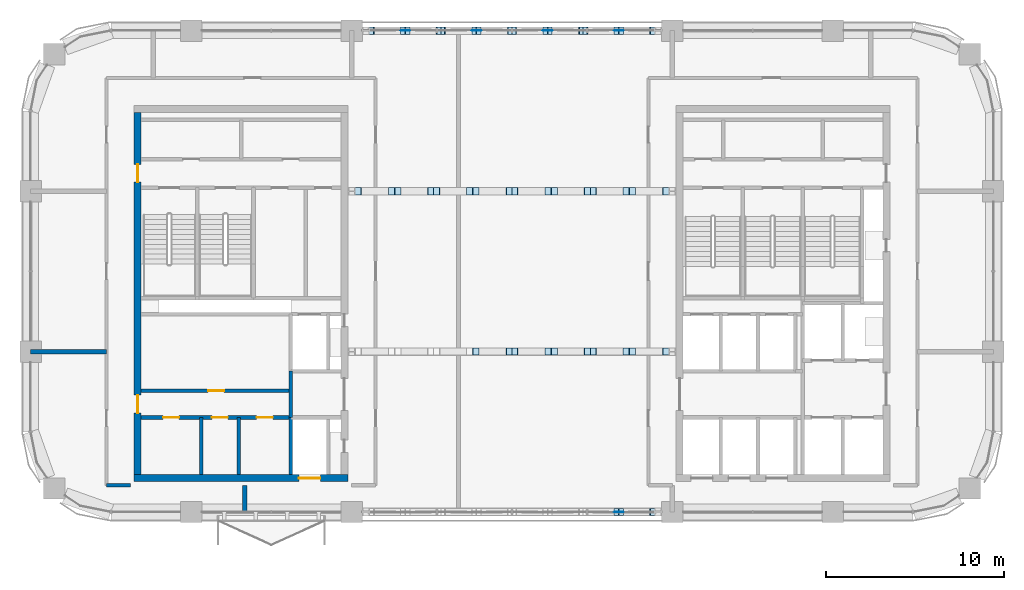
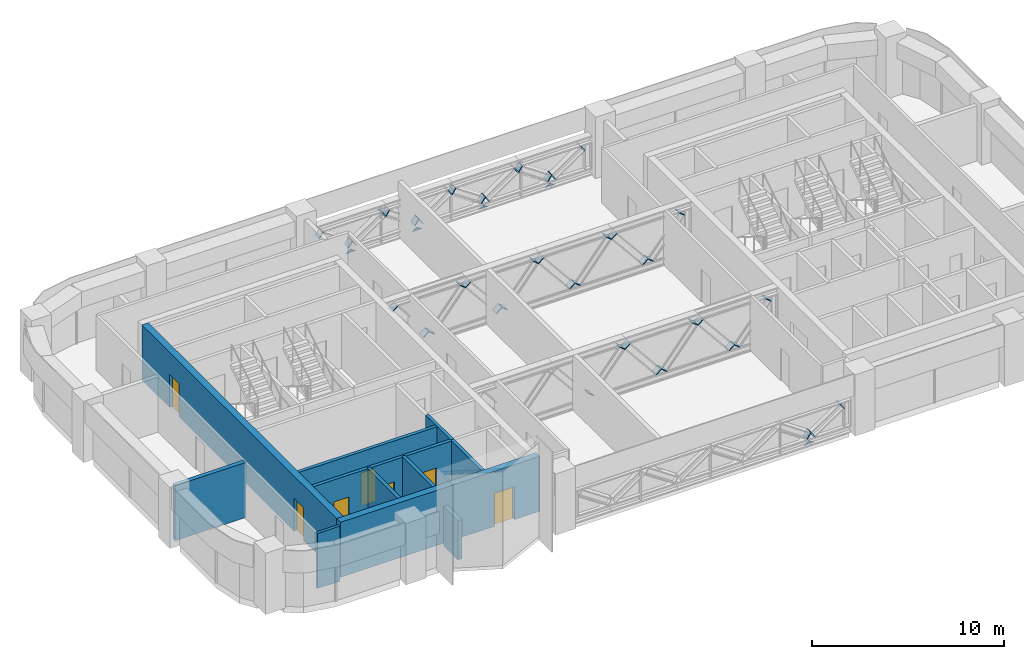
# One storey, part 8 of 14: 50 plates, 11 walls, 7 doors, 7 openings, 2 elements without a shape of their own.
"""IFC4 building model written with IfcOpenShell, lengths in metres."""

from ifc_helpers import new_model, si_unit, direction, frame, frame_2d, origin, origin_2d, place, context, subcontext, project, spatial, polyline, rectangle, outline, extrude, material, layer, layer_set, type_object, element, fill, aggregate, save


model = new_model("IFC4")

# Units and contexts
model_context = context("Model", 3, precision=1e-05, world=origin(), true_north=direction((0.0, 1.0)))
body_context = subcontext(model_context, "Body", "Model", "MODEL_VIEW")
ifc_project = project(units=[si_unit("LENGTHUNIT", "METRE"), si_unit("AREAUNIT", "SQUARE_METRE"), si_unit("VOLUMEUNIT", "CUBIC_METRE"), si_unit("PLANEANGLEUNIT", "RADIAN"), si_unit("MASSUNIT", "GRAM", prefix="KILO")], contexts=[model_context])

# Site, building, storey
site_placement = place(None, origin())
site = spatial("IfcSite", under=ifc_project, at=site_placement, CompositionType="ELEMENT")
building_placement = place(site_placement, origin())
building = spatial("IfcBuilding", under=site, at=building_placement, Name="Tessera Arch", CompositionType="ELEMENT")
storey_placement = place(building_placement, frame((0.0, 0.0, 226.699951171875)))
storey = spatial("IfcBuildingStorey", under=building, at=storey_placement, Name="L54", CompositionType="ELEMENT", Elevation=226.699951171875)

# Curtain wall, plates
ifc_material_1 = material(Name="CW4 curtain wall")
curtain_wall_type = type_object("IfcCurtainWallType", Name="CW4 curtain wall", PredefinedType="NOTDEFINED", material=ifc_material_1)
curtain_wall_1_placement = place(storey_placement, origin())
curtain_wall_1 = element("IfcCurtainWall", 1, at=curtain_wall_1_placement, inside=storey, type_object=curtain_wall_type, Name="CW4 curtain wall N54.0/2 L54", PredefinedType="NOTDEFINED")
ifc_material_2 = material(Name="Clear low-e glass", Category="glass")
ifc_material_3 = material(Name="Clear low-e glass", Category="glass")
ifc_layer_1 = layer(ifc_material_3, 0.028076171875)
ifc_layer_set_1 = layer_set([ifc_layer_1], Name="CW4 glass panel")
plate_type_1 = type_object("IfcPlateType", Name="CW4 glass panel", PredefinedType="CURTAIN_PANEL", material=ifc_layer_set_1)
plate_1_placement = place(storey_placement, frame((33.27783203125, 54.013916015625, 0.0), z_axis=(0.0, 1.0, 0.0), x_axis=(-1.0, 0.0, 0.0)))
plate_1 = element("IfcPlate", 2, at=plate_1_placement, type_object=plate_type_1, material=ifc_material_2, Name="CW4 fitted glass panel N54.0/2 3", PredefinedType="CURTAIN_PANEL", context=body_context, shape_type="SweptSolid", body=[
    extrude(outline(polyline([(0.0, 0.0), (0.58056640625, 0.0), (0.290283203125, 0.19775390625), (0.0, 0.0)])), origin(), (0.0, 0.0, -1.0), 0.028076171875),
])
plate_2_placement = place(storey_placement, frame((29.2861328125, 54.013916015625, 0.0), z_axis=(0.0, 1.0, 0.0), x_axis=(-1.0, 0.0, 0.0)))
plate_2 = element("IfcPlate", 3, at=plate_2_placement, type_object=plate_type_1, material=ifc_material_2, Name="CW4 fitted glass panel N54.0/2 6", PredefinedType="CURTAIN_PANEL", context=body_context, shape_type="SweptSolid", body=[
    extrude(outline(polyline([(0.0, 0.0), (0.58056640625, 0.0), (0.290283203125, 0.19775390625), (0.0, 0.0)])), origin(), (0.0, 0.0, -1.0), 0.028076171875),
])
plate_3_placement = place(storey_placement, frame((25.29443359375, 54.013916015625, 0.0), z_axis=(0.0, 1.0, 0.0), x_axis=(-1.0, 0.0, 0.0)))
plate_3 = element("IfcPlate", 4, at=plate_3_placement, type_object=plate_type_1, material=ifc_material_2, Name="CW4 fitted glass panel N54.0/2 10", PredefinedType="CURTAIN_PANEL", context=body_context, shape_type="SweptSolid", body=[
    extrude(outline(polyline([(0.0, 0.0), (0.58056640625, 0.0), (0.290283203125, 0.19775390625), (0.0, 0.0)])), origin(), (0.0, 0.0, -1.0), 0.028076171875),
])
plate_4_placement = place(storey_placement, frame((21.302734375, 54.013916015625, 0.0), z_axis=(0.0, 1.0, 0.0), x_axis=(-1.0, 0.0, 0.0)))
plate_4 = element("IfcPlate", 5, at=plate_4_placement, type_object=plate_type_1, material=ifc_material_2, Name="CW4 fitted glass panel N54.0/2 14", PredefinedType="CURTAIN_PANEL", context=body_context, shape_type="SweptSolid", body=[
    extrude(outline(polyline([(0.0, 0.0), (0.58056640625, 0.0), (0.290283203125, 0.19775390625), (0.0, 0.0)])), origin(), (0.0, 0.0, -1.0), 0.028076171875),
])
aggregate(curtain_wall_1, [plate_1, plate_2, plate_3, plate_4])

# Curtain wall, plate
curtain_wall_2_placement = place(storey_placement, origin())
curtain_wall_2 = element("IfcCurtainWall", 6, at=curtain_wall_2_placement, inside=storey, type_object=curtain_wall_type, Name="CW4 curtain wall S27.0/2 L54", PredefinedType="NOTDEFINED")
plate_5_placement = place(storey_placement, frame((32.697265625, 26.986083984375, 0.0), z_axis=(0.0, -1.0, 0.0), x_axis=(1.0, 0.0, 0.0)))
plate_5 = element("IfcPlate", 7, at=plate_5_placement, type_object=plate_type_1, material=ifc_material_2, Name="CW4 fitted glass panel S27.0/2 14", PredefinedType="CURTAIN_PANEL", context=body_context, shape_type="SweptSolid", body=[
    extrude(outline(polyline([(0.0, 0.0), (0.58056640625, 0.0), (0.290283203125, 0.19775390625), (0.0, 0.0)])), origin(), (0.0, 0.0, -1.0), 0.028076171875),
])
aggregate(curtain_wall_2, [plate_5])

# Plates
ifc_material_4 = material(Name="Steel A572 Gr50", Category="steel")
ifc_layer_2 = layer(ifc_material_4, 0.050048828125)
ifc_layer_set_2 = layer_set([ifc_layer_2], Name="End plate W14x311")
plate_type_2 = type_object("IfcPlateType", Name="End plate W14x311", PredefinedType="SHEET", material=ifc_layer_set_2)
for number, where, z_axis, x_axis, name in (
    (8, (32.850341796875, 27.0, 0.663818359375), (0.826744481423, 0.0, -0.562577605702), (0.0, 1.0, 0.0), "End plate Bridge truss diagonal 7 end 2"),
    (9, (33.083251953125, 27.0, 0.6357421875), (0.826744481423, 0.0, 0.562577605702), (0.0, 1.0, 0.0), "End plate Bridge truss diagonal 8 end 1"),
    (10, (34.84619140625, 27.0, 1.836181640625), (0.826744481423, 0.0, 0.562577605702), (0.0, 1.0, 0.0), "End plate Bridge truss diagonal 8 end 2"),
    (11, (24.9521484375, 36.0, 0.5869140625), (0.63243652996, 0.0, 0.774612183982), (0.0, 1.0, 0.0), "End plate Bridge truss diagonal 4 end 1"),
):
    element("IfcPlate", number, at=place(storey_placement, frame(where, z_axis=z_axis, x_axis=x_axis)), inside=storey, type_object=plate_type_2, Name=name, PredefinedType="SHEET", context=body_context, shape_type="SweptSolid", body=[
        extrude(rectangle(XDim=0.411376953125, YDim=0.434326171875, at=origin_2d()), origin(), (0.0, 0.0, 1.0), 0.0498046875),
    ])
for number, where, z_axis, x_axis, name in (
    (12, (26.8203125, 36.0, 2.87451171875), (0.632972608441, 0.0, 0.774174190324), (0.0, 1.0, 0.0), "End plate Bridge truss diagonal 4 end 2"),
    (13, (27.14794921875, 36.0, 2.913330078125), (0.632972608441, 0.0, -0.774174190324), (0.0, 1.0, 0.0), "End plate Bridge truss diagonal 5 end 1"),
):
    element("IfcPlate", number, at=place(storey_placement, frame(where, z_axis=z_axis, x_axis=x_axis)), inside=storey, type_object=plate_type_2, Name=name, PredefinedType="SHEET", context=body_context, shape_type="SweptSolid", body=[
        extrude(rectangle(XDim=0.411376953125, YDim=0.434326171875, at=origin_2d()), origin(), (0.0, 0.0, 1.0), 0.050048828125),
    ])
plate_6_placement = place(storey_placement, frame((29.016357421875, 36.0, 0.62548828125), z_axis=(0.63243652996, 0.0, -0.774612183982), x_axis=(0.0, 1.0, 0.0)))
element("IfcPlate", 14, at=plate_6_placement, inside=storey, type_object=plate_type_2, Name="End plate Bridge truss diagonal 5 end 2", PredefinedType="SHEET", context=body_context, shape_type="SweptSolid", body=[
    extrude(rectangle(XDim=0.411376953125, YDim=0.434326171875, at=origin_2d()), origin(), (0.0, 0.0, 1.0), 0.0498046875),
])
for number, where, z_axis, x_axis, name in (
    (15, (29.34375, 36.0, 0.5869140625), (0.635364567002, 0.0, 0.772212319895), (0.0, 1.0, 0.0), "End plate Bridge truss diagonal 6 end 1"),
    (16, (31.212158203125, 36.0, 2.87451171875), (0.630040856868, 0.0, 0.776561986372), (0.0, 1.0, 0.0), "End plate Bridge truss diagonal 6 end 2"),
    (17, (31.539794921875, 36.0, 2.913330078125), (0.630040856868, 0.0, -0.776561986372), (0.0, 1.0, 0.0), "End plate Bridge truss diagonal 7 end 1"),
    (18, (33.407958984375, 36.0, 0.62548828125), (0.635364567002, 0.0, -0.772212319895), (0.0, 1.0, 0.0), "End plate Bridge truss diagonal 7 end 2"),
):
    element("IfcPlate", number, at=place(storey_placement, frame(where, z_axis=z_axis, x_axis=x_axis)), inside=storey, type_object=plate_type_2, Name=name, PredefinedType="SHEET", context=body_context, shape_type="SweptSolid", body=[
        extrude(rectangle(XDim=0.411376953125, YDim=0.434326171875, at=origin_2d()), origin(), (0.0, 0.0, 1.0), 0.050048828125),
    ])
plate_7_placement = place(storey_placement, frame((33.735595703125, 36.0, 0.5869140625), z_axis=(0.63243652996, 0.0, 0.774612183982), x_axis=(0.0, 1.0, 0.0)))
element("IfcPlate", 19, at=plate_7_placement, inside=storey, type_object=plate_type_2, Name="End plate Bridge truss diagonal 8 end 1", PredefinedType="SHEET", context=body_context, shape_type="SweptSolid", body=[
    extrude(rectangle(XDim=0.411376953125, YDim=0.434326171875, at=origin_2d()), origin(), (0.0, 0.0, 1.0), 0.0498046875),
])
for number, where, z_axis, x_axis, name in (
    (20, (35.603759765625, 36.0, 2.87451171875), (0.632972608441, 0.0, 0.774174190324), (0.0, 1.0, 0.0), "End plate Bridge truss diagonal 8 end 2"),
    (21, (18.364501953125, 45.0, 2.913330078125), (0.632972608441, 0.0, -0.774174190324), (0.0, 1.0, 0.0), "End plate Bridge truss diagonal 1 end 1"),
):
    element("IfcPlate", number, at=place(storey_placement, frame(where, z_axis=z_axis, x_axis=x_axis)), inside=storey, type_object=plate_type_2, Name=name, PredefinedType="SHEET", context=body_context, shape_type="SweptSolid", body=[
        extrude(rectangle(XDim=0.411376953125, YDim=0.434326171875, at=origin_2d()), origin(), (0.0, 0.0, 1.0), 0.050048828125),
    ])
plate_8_placement = place(storey_placement, frame((20.23291015625, 45.0, 0.62548828125), z_axis=(0.63243652996, 0.0, -0.774612183982), x_axis=(0.0, 1.0, 0.0)))
element("IfcPlate", 22, at=plate_8_placement, inside=storey, type_object=plate_type_2, Name="End plate Bridge truss diagonal 1 end 2", PredefinedType="SHEET", context=body_context, shape_type="SweptSolid", body=[
    extrude(rectangle(XDim=0.411376953125, YDim=0.434326171875, at=origin_2d()), origin(), (0.0, 0.0, 1.0), 0.0498046875),
])
for number, where, z_axis, x_axis, name in (
    (23, (20.560302734375, 45.0, 0.5869140625), (0.635364567002, 0.0, 0.772212319895), (0.0, 1.0, 0.0), "End plate Bridge truss diagonal 2 end 1"),
    (24, (22.4287109375, 45.0, 2.87451171875), (0.630040856868, 0.0, 0.776561986372), (0.0, 1.0, 0.0), "End plate Bridge truss diagonal 2 end 2"),
    (25, (22.75634765625, 45.0, 2.913330078125), (0.630040856868, 0.0, -0.776561986372), (0.0, 1.0, 0.0), "End plate Bridge truss diagonal 3 end 1"),
    (26, (24.62451171875, 45.0, 0.62548828125), (0.635364567002, 0.0, -0.772212319895), (0.0, 1.0, 0.0), "End plate Bridge truss diagonal 3 end 2"),
):
    element("IfcPlate", number, at=place(storey_placement, frame(where, z_axis=z_axis, x_axis=x_axis)), inside=storey, type_object=plate_type_2, Name=name, PredefinedType="SHEET", context=body_context, shape_type="SweptSolid", body=[
        extrude(rectangle(XDim=0.411376953125, YDim=0.434326171875, at=origin_2d()), origin(), (0.0, 0.0, 1.0), 0.050048828125),
    ])
plate_9_placement = place(storey_placement, frame((24.9521484375, 45.0, 0.5869140625), z_axis=(0.63243652996, 0.0, 0.774612183982), x_axis=(0.0, 1.0, 0.0)))
element("IfcPlate", 27, at=plate_9_placement, inside=storey, type_object=plate_type_2, Name="End plate Bridge truss diagonal 4 end 1", PredefinedType="SHEET", context=body_context, shape_type="SweptSolid", body=[
    extrude(rectangle(XDim=0.411376953125, YDim=0.434326171875, at=origin_2d()), origin(), (0.0, 0.0, 1.0), 0.0498046875),
])
for number, where, z_axis, x_axis, name in (
    (28, (26.8203125, 45.0, 2.87451171875), (0.632972608441, 0.0, 0.774174190324), (0.0, 1.0, 0.0), "End plate Bridge truss diagonal 4 end 2"),
    (29, (27.14794921875, 45.0, 2.913330078125), (0.632972608441, 0.0, -0.774174190324), (0.0, 1.0, 0.0), "End plate Bridge truss diagonal 5 end 1"),
):
    element("IfcPlate", number, at=place(storey_placement, frame(where, z_axis=z_axis, x_axis=x_axis)), inside=storey, type_object=plate_type_2, Name=name, PredefinedType="SHEET", context=body_context, shape_type="SweptSolid", body=[
        extrude(rectangle(XDim=0.411376953125, YDim=0.434326171875, at=origin_2d()), origin(), (0.0, 0.0, 1.0), 0.050048828125),
    ])
plate_10_placement = place(storey_placement, frame((29.016357421875, 45.0, 0.62548828125), z_axis=(0.63243652996, 0.0, -0.774612183982), x_axis=(0.0, 1.0, 0.0)))
element("IfcPlate", 30, at=plate_10_placement, inside=storey, type_object=plate_type_2, Name="End plate Bridge truss diagonal 5 end 2", PredefinedType="SHEET", context=body_context, shape_type="SweptSolid", body=[
    extrude(rectangle(XDim=0.411376953125, YDim=0.434326171875, at=origin_2d()), origin(), (0.0, 0.0, 1.0), 0.0498046875),
])
for number, where, z_axis, x_axis, name in (
    (31, (29.34375, 45.0, 0.5869140625), (0.635364567002, 0.0, 0.772212319895), (0.0, 1.0, 0.0), "End plate Bridge truss diagonal 6 end 1"),
    (32, (31.212158203125, 45.0, 2.87451171875), (0.630040856868, 0.0, 0.776561986372), (0.0, 1.0, 0.0), "End plate Bridge truss diagonal 6 end 2"),
    (33, (31.539794921875, 45.0, 2.913330078125), (0.630040856868, 0.0, -0.776561986372), (0.0, 1.0, 0.0), "End plate Bridge truss diagonal 7 end 1"),
    (34, (33.407958984375, 45.0, 0.62548828125), (0.635364567002, 0.0, -0.772212319895), (0.0, 1.0, 0.0), "End plate Bridge truss diagonal 7 end 2"),
):
    element("IfcPlate", number, at=place(storey_placement, frame(where, z_axis=z_axis, x_axis=x_axis)), inside=storey, type_object=plate_type_2, Name=name, PredefinedType="SHEET", context=body_context, shape_type="SweptSolid", body=[
        extrude(rectangle(XDim=0.411376953125, YDim=0.434326171875, at=origin_2d()), origin(), (0.0, 0.0, 1.0), 0.050048828125),
    ])
plate_11_placement = place(storey_placement, frame((33.735595703125, 45.0, 0.5869140625), z_axis=(0.63243652996, 0.0, 0.774612183982), x_axis=(0.0, 1.0, 0.0)))
element("IfcPlate", 35, at=plate_11_placement, inside=storey, type_object=plate_type_2, Name="End plate Bridge truss diagonal 8 end 1", PredefinedType="SHEET", context=body_context, shape_type="SweptSolid", body=[
    extrude(rectangle(XDim=0.411376953125, YDim=0.434326171875, at=origin_2d()), origin(), (0.0, 0.0, 1.0), 0.0498046875),
])
plate_12_placement = place(storey_placement, frame((35.603759765625, 45.0, 2.87451171875), z_axis=(0.632972608441, 0.0, 0.774174190324), x_axis=(0.0, 1.0, 0.0)))
element("IfcPlate", 36, at=plate_12_placement, inside=storey, type_object=plate_type_2, Name="End plate Bridge truss diagonal 8 end 2", PredefinedType="SHEET", context=body_context, shape_type="SweptSolid", body=[
    extrude(rectangle(XDim=0.411376953125, YDim=0.434326171875, at=origin_2d()), origin(), (0.0, 0.0, 1.0), 0.050048828125),
])
for number, where, z_axis, x_axis, name in (
    (37, (19.112548828125, 54.0, 1.8642578125), (0.826744481423, 0.0, -0.562577605702), (0.0, 1.0, 0.0), "End plate Bridge truss diagonal 1 end 1"),
    (38, (20.87548828125, 54.0, 0.663818359375), (0.826744481423, 0.0, -0.562577605702), (0.0, 1.0, 0.0), "End plate Bridge truss diagonal 1 end 2"),
    (39, (21.1083984375, 54.0, 0.6357421875), (0.826744481423, 0.0, 0.562577605702), (0.0, 1.0, 0.0), "End plate Bridge truss diagonal 2 end 1"),
    (40, (22.871337890625, 54.0, 1.836181640625), (0.826744481423, 0.0, 0.562577605702), (0.0, 1.0, 0.0), "End plate Bridge truss diagonal 2 end 2"),
):
    element("IfcPlate", number, at=place(storey_placement, frame(where, z_axis=z_axis, x_axis=x_axis)), inside=storey, type_object=plate_type_2, Name=name, PredefinedType="SHEET", context=body_context, shape_type="SweptSolid", body=[
        extrude(rectangle(XDim=0.411376953125, YDim=0.434326171875, at=origin_2d()), origin(), (0.0, 0.0, 1.0), 0.0498046875),
    ])
for number, where, z_axis, x_axis, name in (
    (41, (23.10400390625, 54.0, 1.8642578125), (0.828283413128, 0.0, -0.560309367704), (0.0, 1.0, 0.0), "End plate Bridge truss diagonal 3 end 1"),
    (42, (24.866943359375, 54.0, 0.663818359375), (0.828283413128, 0.0, -0.560309367704), (0.0, 1.0, 0.0), "End plate Bridge truss diagonal 3 end 2"),
    (43, (25.099853515625, 54.0, 0.6357421875), (0.828283413128, 0.0, 0.560309367704), (0.0, 1.0, 0.0), "End plate Bridge truss diagonal 4 end 1"),
    (44, (26.86279296875, 54.0, 1.836181640625), (0.828283413128, 0.0, 0.560309367704), (0.0, 1.0, 0.0), "End plate Bridge truss diagonal 4 end 2"),
    (45, (27.095703125, 54.0, 1.8642578125), (0.828283413128, 0.0, -0.560309367704), (0.0, 1.0, 0.0), "End plate Bridge truss diagonal 5 end 1"),
    (46, (28.858642578125, 54.0, 0.663818359375), (0.828283413128, 0.0, -0.560309367704), (0.0, 1.0, 0.0), "End plate Bridge truss diagonal 5 end 2"),
    (47, (29.091552734375, 54.0, 0.6357421875), (0.828283413128, 0.0, 0.560309367704), (0.0, 1.0, 0.0), "End plate Bridge truss diagonal 6 end 1"),
    (48, (30.8544921875, 54.0, 1.836181640625), (0.828283413128, 0.0, 0.560309367704), (0.0, 1.0, 0.0), "End plate Bridge truss diagonal 6 end 2"),
):
    element("IfcPlate", number, at=place(storey_placement, frame(where, z_axis=z_axis, x_axis=x_axis)), inside=storey, type_object=plate_type_2, Name=name, PredefinedType="SHEET", context=body_context, shape_type="SweptSolid", body=[
        extrude(rectangle(XDim=0.411376953125, YDim=0.434326171875, at=origin_2d()), origin(), (0.0, 0.0, 1.0), 0.050048828125),
    ])
for number, where, z_axis, x_axis, name in (
    (49, (31.08740234375, 54.0, 1.8642578125), (0.826744481423, 0.0, -0.562577605702), (0.0, 1.0, 0.0), "End plate Bridge truss diagonal 7 end 1"),
    (50, (32.850341796875, 54.0, 0.663818359375), (0.826744481423, 0.0, -0.562577605702), (0.0, 1.0, 0.0), "End plate Bridge truss diagonal 7 end 2"),
    (51, (33.083251953125, 54.0, 0.6357421875), (0.826744481423, 0.0, 0.562577605702), (0.0, 1.0, 0.0), "End plate Bridge truss diagonal 8 end 1"),
    (52, (34.84619140625, 54.0, 1.836181640625), (0.826744481423, 0.0, 0.562577605702), (0.0, 1.0, 0.0), "End plate Bridge truss diagonal 8 end 2"),
):
    element("IfcPlate", number, at=place(storey_placement, frame(where, z_axis=z_axis, x_axis=x_axis)), inside=storey, type_object=plate_type_2, Name=name, PredefinedType="SHEET", context=body_context, shape_type="SweptSolid", body=[
        extrude(rectangle(XDim=0.411376953125, YDim=0.434326171875, at=origin_2d()), origin(), (0.0, 0.0, 1.0), 0.0498046875),
    ])

# Walls
ifc_material_5 = material(Name="Gypsum board on steel stud", Category="steel")
ifc_layer_3 = layer(ifc_material_5, 0.125)
ifc_layer_set_3 = layer_set([ifc_layer_3], Name="Core partition 125 EI 60")
wall_type_1 = type_object("IfcWallType", Name="Core partition 125 EI 60", PredefinedType="PARTITIONING", material=ifc_layer_set_3)
for number, where, z_axis, x_axis, name in (
    (53, (9.56005859375, 29.10009765625, 0.0), (0.0, 0.0, 1.0), (0.0, 1.0, 0.0), "L54 C2 partition wall 3"),
    (54, (11.659912109375, 29.10009765625, 0.0), (0.0, 0.0, 1.0), (0.0, 1.0, 0.0), "L54 C2 partition wall 4"),
):
    element("IfcWall", number, at=place(storey_placement, frame(where, z_axis=z_axis, x_axis=x_axis)), inside=storey, type_object=wall_type_1, Name=name, PredefinedType="PARTITIONING", context=body_context, shape_type="SweptSolid", body=[
        extrude(rectangle(XDim=3.199951171875, YDim=0.199951171875, at=frame_2d((1.60009765625, 0.0))), origin(), (0.0, 0.0, 1.0), 3.5),
    ])
wall_1_placement = place(storey_placement, frame((14.60009765625, 32.300048828125, 0.0), z_axis=(0.0, 0.0, 1.0), x_axis=(0.0, 1.0, 0.0)))
element("IfcWall", 55, at=wall_1_placement, inside=storey, type_object=wall_type_1, Name="L54 C2 partition wall 8", PredefinedType="PARTITIONING", context=body_context, shape_type="SweptSolid", body=[
    extrude(rectangle(XDim=2.599853515625, YDim=0.199951171875, at=frame_2d((1.2998046875, 0.0))), origin(), (0.0, 0.0, 1.0), 3.5),
])

# Wall, openings, doors
wall_2_placement = place(storey_placement, frame((6.199951171875, 32.300048828125, 0.0), z_axis=(0.0, 0.0, 1.0), x_axis=(1.0, 0.0, 0.0)))
wall_2 = element("IfcWall", 56, at=wall_2_placement, inside=storey, type_object=wall_type_1, Name="L54 C2 partition wall 14", PredefinedType="PARTITIONING", context=body_context, shape_type="SweptSolid", body=[
    extrude(rectangle(XDim=8.400146484375, YDim=0.199951171875, at=frame_2d((4.2001953125, 0.0))), origin(), (0.0, 0.0, 1.0), 3.5),
])
opening_1_placement = place(wall_2_placement, frame((1.22998046875, 0.0, 0.0)))
opening_1 = element("IfcOpeningElement", 57, at=opening_1_placement, cuts=wall_2, Name="Opening L54-C34", PredefinedType="OPENING", context=body_context, shape_type="SweptSolid", body=[
    extrude(rectangle(XDim=0.89990234375, YDim=2.10009765625, at=frame_2d((0.449951171875, 1.050048828125))), frame((0.0, 0.10986328125, 0.0), z_axis=(0.0, -1.0, 0.0), x_axis=(1.0, 0.0, 0.0)), (0.0, 0.0, 1.0), 0.219970703125),
])
opening_2_placement = place(wall_2_placement, frame((3.9599609375, 0.0, 0.0)))
opening_2 = element("IfcOpeningElement", 58, at=opening_2_placement, cuts=wall_2, Name="Opening L54-C35", PredefinedType="OPENING", context=body_context, shape_type="SweptSolid", body=[
    extrude(rectangle(XDim=0.89990234375, YDim=2.10009765625, at=frame_2d((0.449951171875, 1.050048828125))), frame((0.0, 0.10986328125, 0.0), z_axis=(0.0, -1.0, 0.0), x_axis=(1.0, 0.0, 0.0)), (0.0, 0.0, 1.0), 0.219970703125),
])
opening_3_placement = place(wall_2_placement, frame((6.47998046875, 0.0, 0.0)))
opening_3 = element("IfcOpeningElement", 59, at=opening_3_placement, cuts=wall_2, Name="Opening L54-C36", PredefinedType="OPENING", context=body_context, shape_type="SweptSolid", body=[
    extrude(rectangle(XDim=0.89990234375, YDim=2.10009765625, at=frame_2d((0.449951171875, 1.050048828125))), frame((0.0, 0.10986328125, 0.0), z_axis=(0.0, -1.0, 0.0), x_axis=(1.0, 0.0, 0.0)), (0.0, 0.0, 1.0), 0.219970703125),
])
ifc_material_6 = material(Name="Steel door leaf", Category="steel")
door_type_1 = type_object("IfcDoorType", Name="Store door FD30S 900 x 2100", OperationType="SINGLE_SWING_LEFT", PredefinedType="DOOR", material=ifc_material_6)
door_1_placement = place(opening_1_placement, origin())
door_1 = element("IfcDoor", 60, at=door_1_placement, inside=storey, type_object=door_type_1, Name="L54 C2 door 14 C34 type D09", OperationType="SINGLE_SWING_LEFT", OverallHeight=2.10009765625, OverallWidth=0.89990234375, PredefinedType="DOOR", context=body_context, shape_type="SweptSolid", body=[
    extrude(rectangle(XDim=0.89990234375, YDim=2.10009765625, at=frame_2d((0.449951171875, 1.050048828125))), frame((0.0, 0.02490234375, 0.0), z_axis=(0.0, -1.0, 0.0), x_axis=(1.0, 0.0, 0.0)), (0.0, 0.0, 1.0), 0.050048828125),
])
fill(opening_1, door_1)
door_2_placement = place(opening_2_placement, origin())
door_2 = element("IfcDoor", 61, at=door_2_placement, inside=storey, type_object=door_type_1, Name="L54 C2 door 15 C35 type D09", OperationType="SINGLE_SWING_RIGHT", OverallHeight=2.10009765625, OverallWidth=0.89990234375, PredefinedType="DOOR", context=body_context, shape_type="SweptSolid", body=[
    extrude(rectangle(XDim=0.89990234375, YDim=2.10009765625, at=frame_2d((0.449951171875, 1.050048828125))), frame((0.0, 0.02490234375, 0.0), z_axis=(0.0, -1.0, 0.0), x_axis=(1.0, 0.0, 0.0)), (0.0, 0.0, 1.0), 0.050048828125),
])
fill(opening_2, door_2)
door_3_placement = place(opening_3_placement, origin())
door_3 = element("IfcDoor", 62, at=door_3_placement, inside=storey, type_object=door_type_1, Name="L54 C2 door 16 C36 type D09", OperationType="SINGLE_SWING_RIGHT", OverallHeight=2.10009765625, OverallWidth=0.89990234375, PredefinedType="DOOR", context=body_context, shape_type="SweptSolid", body=[
    extrude(rectangle(XDim=0.89990234375, YDim=2.10009765625, at=frame_2d((0.449951171875, 1.050048828125))), frame((0.0, 0.02490234375, 0.0), z_axis=(0.0, -1.0, 0.0), x_axis=(1.0, 0.0, 0.0)), (0.0, 0.0, 1.0), 0.050048828125),
])
fill(opening_3, door_3)

# Wall, opening, door
wall_3_placement = place(storey_placement, frame((6.199951171875, 33.800048828125, 0.0), z_axis=(0.0, 0.0, 1.0), x_axis=(1.0, 0.0, 0.0)))
wall_3 = element("IfcWall", 63, at=wall_3_placement, inside=storey, type_object=wall_type_1, Name="L54 C2 partition wall 16", PredefinedType="PARTITIONING", context=body_context, shape_type="SweptSolid", body=[
    extrude(rectangle(XDim=8.400146484375, YDim=0.199951171875, at=frame_2d((4.2001953125, 0.0))), origin(), (0.0, 0.0, 1.0), 3.5),
])
opening_4_placement = place(wall_3_placement, frame((3.75, 0.0, 0.0)))
opening_4 = element("IfcOpeningElement", 64, at=opening_4_placement, cuts=wall_3, Name="Opening L54-C37", PredefinedType="OPENING", context=body_context, shape_type="SweptSolid", body=[
    extrude(rectangle(XDim=0.89990234375, YDim=2.10009765625, at=frame_2d((0.449951171875, 1.050048828125))), frame((0.0, 0.10986328125, 0.0), z_axis=(0.0, -1.0, 0.0), x_axis=(1.0, 0.0, 0.0)), (0.0, 0.0, 1.0), 0.219970703125),
])
door_4_placement = place(opening_4_placement, origin())
door_4 = element("IfcDoor", 65, at=door_4_placement, inside=storey, type_object=door_type_1, Name="L54 C2 door 17 C37 type D09", OperationType="SINGLE_SWING_RIGHT", OverallHeight=2.10009765625, OverallWidth=0.89990234375, PredefinedType="DOOR", context=body_context, shape_type="SweptSolid", body=[
    extrude(rectangle(XDim=0.89990234375, YDim=2.10009765625, at=frame_2d((0.449951171875, 1.050048828125))), frame((0.0, 0.02490234375, 0.0), z_axis=(0.0, -1.0, 0.0), x_axis=(1.0, 0.0, 0.0)), (0.0, 0.0, 1.0), 0.050048828125),
])
fill(opening_4, door_4)

ifc_material_7 = material(Name="Concrete C50/60", Category="concrete")
ifc_layer_4 = layer(ifc_material_7, 0.39990234375)
ifc_layer_set_4 = layer_set([ifc_layer_4], Name="Core shell wall 400 C50-60")
wall_type_2 = type_object("IfcWallType", Name="Core shell wall 400 C50-60", PredefinedType="SHEAR", material=ifc_layer_set_4)
wall_4_placement = place(storey_placement, frame((5.800048828125, 28.89990234375, 0.0), z_axis=(0.0, 0.0, 1.0), x_axis=(1.0, 0.0, 0.0)))
wall_4 = element("IfcWall", 66, at=wall_4_placement, inside=storey, type_object=wall_type_2, Name="L54 C2 core wall S", PredefinedType="SHEAR", context=body_context, shape_type="SweptSolid", body=[
    extrude(rectangle(XDim=12.0, YDim=0.39990234375, at=frame_2d((6.0, 0.0))), origin(), (0.0, 0.0, 1.0), 3.5),
])
opening_5_placement = place(wall_4_placement, frame((9.25, 0.0, 0.0)))
opening_5 = element("IfcOpeningElement", 67, at=opening_5_placement, cuts=wall_4, Name="Opening L54-C21", PredefinedType="OPENING", context=body_context, shape_type="SweptSolid", body=[
    extrude(rectangle(XDim=1.199951171875, YDim=2.10009765625, at=frame_2d((0.60009765625, 1.050048828125))), frame((0.0, 0.2099609375, 0.0), z_axis=(0.0, -1.0, 0.0), x_axis=(1.0, 0.0, 0.0)), (0.0, 0.0, 1.0), 0.419921875),
])
ifc_material_8 = material(Name="Stainless steel AISI 304", Category="steel")
door_type_2 = type_object("IfcDoorType", Name="Sliding landing door 1200 x 2100", OperationType="SLIDING_TO_LEFT", PredefinedType="DOOR", material=ifc_material_8)
door_5_placement = place(opening_5_placement, origin())
door_5 = element("IfcDoor", 68, at=door_5_placement, inside=storey, type_object=door_type_2, Name="L54 HR7 lift landing door C21 type LD", OperationType="SLIDING_TO_LEFT", OverallHeight=2.10009765625, OverallWidth=1.199951171875, PredefinedType="DOOR", context=body_context, shape_type="SweptSolid", body=[
    extrude(rectangle(XDim=1.199951171875, YDim=2.10009765625, at=frame_2d((0.60009765625, 1.050048828125))), frame((0.0, 0.02490234375, 0.0), z_axis=(0.0, -1.0, 0.0), x_axis=(1.0, 0.0, 0.0)), (0.0, 0.0, 1.0), 0.050048828125),
])
fill(opening_5, door_5)

# Wall, openings, doors
wall_5_placement = place(storey_placement, frame((6.0, 29.10009765625, 0.0), z_axis=(0.0, 0.0, 1.0), x_axis=(0.0, 1.0, 0.0)))
wall_5 = element("IfcWall", 69, at=wall_5_placement, inside=storey, type_object=wall_type_2, Name="L54 C2 core wall W", PredefinedType="SHEAR", context=body_context, shape_type="SweptSolid", body=[
    extrude(rectangle(XDim=20.2998046875, YDim=0.39990234375, at=frame_2d((10.14990234375, 0.0))), origin(), (0.0, 0.0, 1.0), 3.5),
])
opening_6_placement = place(wall_5_placement, frame((3.449951171875, 0.0, 0.0)))
opening_6 = element("IfcOpeningElement", 70, at=opening_6_placement, cuts=wall_5, Name="Opening L54-C28", PredefinedType="OPENING", context=body_context, shape_type="SweptSolid", body=[
    extrude(rectangle(XDim=1.0, YDim=2.10009765625, at=frame_2d((0.5, 1.050048828125))), frame((0.0, 0.2099609375, 0.0), z_axis=(0.0, -1.0, 0.0), x_axis=(1.0, 0.0, 0.0)), (0.0, 0.0, 1.0), 0.419921875),
])
opening_7_placement = place(wall_5_placement, frame((16.39990234375, 0.0, 0.0)))
opening_7 = element("IfcOpeningElement", 71, at=opening_7_placement, cuts=wall_5, Name="Opening L54-C29", PredefinedType="OPENING", context=body_context, shape_type="SweptSolid", body=[
    extrude(rectangle(XDim=1.0, YDim=2.10009765625, at=frame_2d((0.5, 1.050048828125))), frame((0.0, 0.2099609375, 0.0), z_axis=(0.0, -1.0, 0.0), x_axis=(1.0, 0.0, 0.0)), (0.0, 0.0, 1.0), 0.419921875),
])
ifc_material_9 = material(Name="Steel door leaf", Category="steel")
door_type_3 = type_object("IfcDoorType", Name="Corridor door FD60 1000 x 2100", OperationType="SINGLE_SWING_LEFT", PredefinedType="DOOR", material=ifc_material_9)
door_6_placement = place(opening_6_placement, origin())
door_6 = element("IfcDoor", 72, at=door_6_placement, inside=storey, type_object=door_type_3, Name="L54 C2 door 8 C28 type D12", OperationType="SINGLE_SWING_LEFT", OverallHeight=2.10009765625, OverallWidth=1.0, PredefinedType="DOOR", context=body_context, shape_type="SweptSolid", body=[
    extrude(rectangle(XDim=1.0, YDim=2.10009765625, at=frame_2d((0.5, 1.050048828125))), frame((0.0, 0.02490234375, 0.0), z_axis=(0.0, -1.0, 0.0), x_axis=(1.0, 0.0, 0.0)), (0.0, 0.0, 1.0), 0.050048828125),
])
fill(opening_6, door_6)
door_7_placement = place(opening_7_placement, origin())
door_7 = element("IfcDoor", 73, at=door_7_placement, inside=storey, type_object=door_type_3, Name="L54 C2 door 9 C29 type D12", OperationType="SINGLE_SWING_RIGHT", OverallHeight=2.10009765625, OverallWidth=1.0, PredefinedType="DOOR", context=body_context, shape_type="SweptSolid", body=[
    extrude(rectangle(XDim=1.0, YDim=2.10009765625, at=frame_2d((0.5, 1.050048828125))), frame((0.0, 0.02490234375, 0.0), z_axis=(0.0, -1.0, 0.0), x_axis=(1.0, 0.0, 0.0)), (0.0, 0.0, 1.0), 0.050048828125),
])
fill(opening_7, door_7)

# Walls
ifc_material_10 = material(Name="Gypsum board on deep steel stud with mineral wool", Category="steel")
ifc_layer_5 = layer(ifc_material_10, 0.175048828125)
ifc_layer_set_5 = layer_set([ifc_layer_5], Name="Corridor wall 175 EI 60")
wall_type_3 = type_object("IfcWallType", Name="Corridor wall 175 EI 60", PredefinedType="PARTITIONING", material=ifc_layer_set_5)
wall_6_placement = place(storey_placement, frame((4.25, 28.5, 0.0), z_axis=(0.0, 0.0, 1.0), x_axis=(1.0, 0.0, 0.0)))
element("IfcWall", 74, at=wall_6_placement, inside=storey, type_object=wall_type_3, Name="L54 partition 1", PredefinedType="PARTITIONING", context=body_context, shape_type="SweptSolid", body=[
    extrude(rectangle(XDim=1.35009765625, YDim=0.175048828125, at=frame_2d((0.675048828125, 0.0))), origin(), (0.0, 0.0, 1.0), 3.5),
])
ifc_material_11 = material(Name="Double gypsum board on twin steel stud with acoustic mineral wool", Category="steel")
ifc_layer_6 = layer(ifc_material_11, 0.25)
ifc_layer_set_6 = layer_set([ifc_layer_6], Name="Party wall 250 EI 60")
wall_type_4 = type_object("IfcWallType", Name="Party wall 250 EI 60", PredefinedType="PARTITIONING", material=ifc_layer_set_6)
wall_7_placement = place(storey_placement, frame((0.0, 36.0, 0.0), z_axis=(0.0, 0.0, 1.0), x_axis=(1.0, 0.0, 0.0)))
element("IfcWall", 75, at=wall_7_placement, inside=storey, type_object=wall_type_4, Name="L54 partition 11", PredefinedType="PARTITIONING", context=body_context, shape_type="SweptSolid", body=[
    extrude(rectangle(XDim=4.25, YDim=0.25, at=frame_2d((2.125, 0.0))), origin(), (0.0, 0.0, 1.0), 3.5),
])
wall_8_placement = place(storey_placement, frame((12.0, 27.0, 0.0), z_axis=(0.0, 0.0, 1.0), x_axis=(0.0, 1.0, 0.0)))
element("IfcWall", 76, at=wall_8_placement, inside=storey, type_object=wall_type_4, Name="L54 partition 18", PredefinedType="PARTITIONING", context=body_context, shape_type="SweptSolid", body=[
    extrude(rectangle(XDim=1.5, YDim=0.25, at=frame_2d((0.75, 0.0))), origin(), (0.0, 0.0, 1.0), 2.5),
])
ifc_material_12 = material(Name="Concrete C40/50", Category="concrete")
ifc_layer_7 = layer(ifc_material_12, 0.199951171875)
ifc_layer_set_7 = layer_set([ifc_layer_7], Name="Shaft wall 200 EI 120")
wall_type_5 = type_object("IfcWallType", Name="Shaft wall 200 EI 120", PredefinedType="SOLIDWALL", material=ifc_layer_set_7)
wall_9_placement = place(storey_placement, frame((14.60009765625, 29.10009765625, 0.0), z_axis=(0.0, 0.0, 1.0), x_axis=(0.0, 1.0, 0.0)))
element("IfcWall", 77, at=wall_9_placement, inside=storey, type_object=wall_type_5, Name="L54 C2 shaft wall 9", PredefinedType="SOLIDWALL", context=body_context, shape_type="SweptSolid", body=[
    extrude(rectangle(XDim=3.199951171875, YDim=0.199951171875, at=frame_2d((1.60009765625, 0.0))), origin(), (0.0, 0.0, 1.0), 3.5),
])

save(model, "model.ifc")
